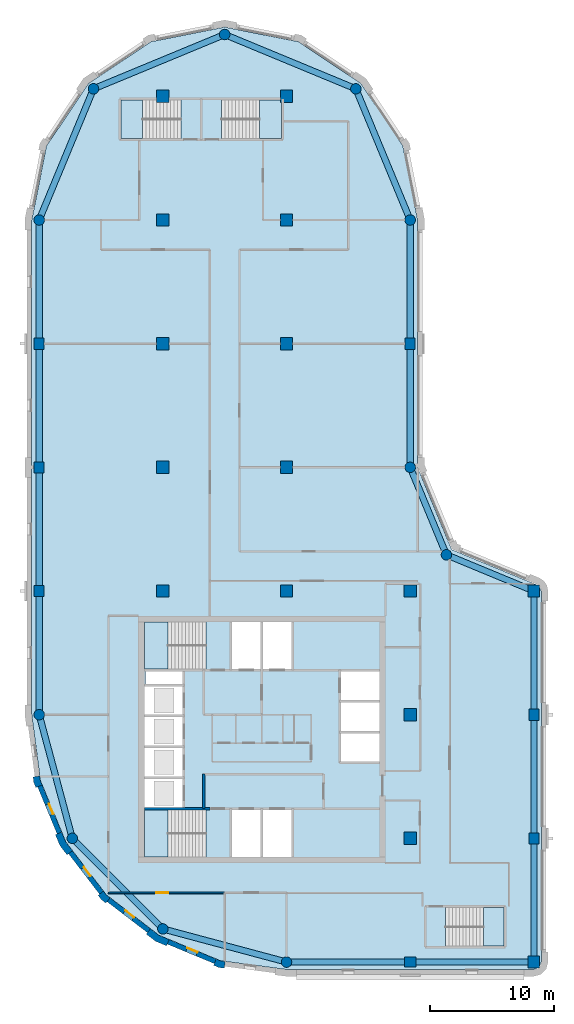
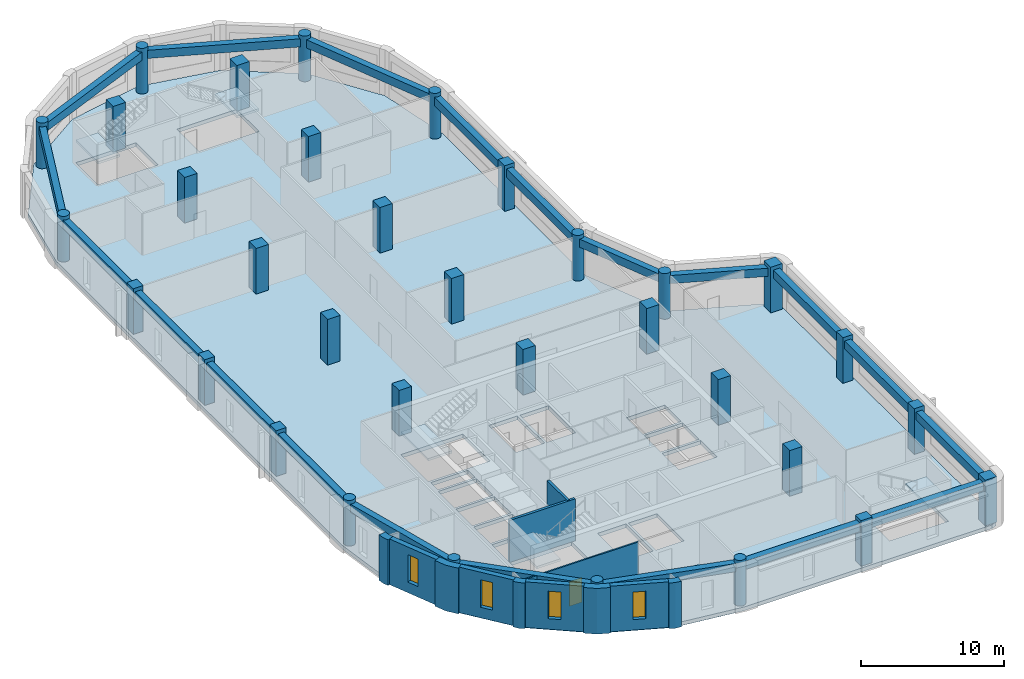
# One storey, part 1 of 8: 33 columns, 20 beams, 12 walls, 6 slabs, 4 windows, 1 door, 5 openings, 5 elements without a shape of their own.
"""IFC4 building model written with IfcOpenShell, lengths in metres."""

from ifc_helpers import new_model, si_unit, direction, frame, frame_2d, origin, origin_2d, place, context, subcontext, project, spatial, polyline, rectangle, circle, outline, extrude, material, layer, layer_set, material_profile, profile_set, type_object, element, fill, aggregate, save


model = new_model("IFC4")

# Units and contexts
model_context = context("Model", 3, precision=1e-05, world=origin(), true_north=direction((0.0, 1.0)))
body_context = subcontext(model_context, "Body", "Model", "MODEL_VIEW")
ifc_project = project(units=[si_unit("LENGTHUNIT", "METRE"), si_unit("AREAUNIT", "SQUARE_METRE"), si_unit("VOLUMEUNIT", "CUBIC_METRE"), si_unit("PLANEANGLEUNIT", "RADIAN"), si_unit("MASSUNIT", "GRAM", prefix="KILO")], contexts=[model_context])

# Site, building, storey
site_placement = place(None, origin())
site = spatial("IfcSite", under=ifc_project, at=site_placement, CompositionType="ELEMENT")
building_placement = place(site_placement, origin())
building = spatial("IfcBuilding", under=site, at=building_placement, Name="Qaws Garden Tower", CompositionType="ELEMENT")
storey_placement = place(building_placement, frame((0.0, 0.0, 302.10009765625)))
storey = spatial("IfcBuildingStorey", under=building, at=storey_placement, Name="L73", CompositionType="ELEMENT", Elevation=302.10009765625)

# Columns
ifc_material_1 = material(Name="Concrete C60", Category="concrete")
ifc_material_profile_1 = material_profile(ifc_material_1, rectangle(XDim=1.0, YDim=1.0, at=origin_2d()), Name="RC 1000x1000")
ifc_profile_set_1 = profile_set([ifc_material_profile_1], Name="Concrete C60")
column_type_1 = type_object("IfcColumnType", Name="Column RC 1000x1000 C60", PredefinedType="COLUMN", material=ifc_profile_set_1)
for number, where, z_axis, x_axis, name in (
    (1, (10.0, 30.0, 0.0), (0.0, 0.0, 1.0), (1.0, 0.0, 0.0), "Column L73-021"),
    (2, (10.0, 40.0, 0.0), (0.0, 0.0, 1.0), (1.0, 0.0, 0.0), "Column L73-022"),
    (3, (10.0, 50.0, 0.0), (0.0, 0.0, 1.0), (1.0, 0.0, 0.0), "Column L73-023"),
    (4, (10.0, 60.0, 0.0), (0.0, 0.0, 1.0), (1.0, 0.0, 0.0), "Column L73-024"),
    (5, (10.0, 70.0, 0.0), (0.0, 0.0, 1.0), (1.0, 0.0, 0.0), "Column L73-025"),
    (6, (20.0, 30.0, 0.0), (0.0, 0.0, 1.0), (1.0, 0.0, 0.0), "Column L73-026"),
    (7, (20.0, 40.0, 0.0), (0.0, 0.0, 1.0), (1.0, 0.0, 0.0), "Column L73-027"),
    (8, (20.0, 50.0, 0.0), (0.0, 0.0, 1.0), (1.0, 0.0, 0.0), "Column L73-028"),
    (9, (20.0, 60.0, 0.0), (0.0, 0.0, 1.0), (1.0, 0.0, 0.0), "Column L73-029"),
    (10, (20.0, 70.0, 0.0), (0.0, 0.0, 1.0), (1.0, 0.0, 0.0), "Column L73-030"),
    (11, (30.0, 10.0, 0.0), (0.0, 0.0, 1.0), (1.0, 0.0, 0.0), "Column L73-031"),
    (12, (30.0, 20.0, 0.0), (0.0, 0.0, 1.0), (1.0, 0.0, 0.0), "Column L73-032"),
    (13, (30.0, 30.0, 0.0), (0.0, 0.0, 1.0), (1.0, 0.0, 0.0), "Column L73-033"),
):
    element("IfcColumn", number, at=place(storey_placement, frame(where, z_axis=z_axis, x_axis=x_axis)), inside=storey, type_object=column_type_1, Name=name, PredefinedType="COLUMN", context=body_context, shape_type="SweptSolid", body=[
        extrude(rectangle(XDim=1.0, YDim=1.0, at=origin_2d()), origin(), (0.0, 0.0, 1.0), 3.89990234375),
    ])
ifc_material_2 = material(Name="Concrete C60", Category="concrete")
ifc_material_profile_2 = material_profile(ifc_material_2, rectangle(XDim=0.89990234375, YDim=0.800048828125, at=origin_2d()), Name="RC 900x800")
ifc_profile_set_2 = profile_set([ifc_material_profile_2], Name="Concrete C60")
column_type_2 = type_object("IfcColumnType", Name="Column RC 900x800 C60", PredefinedType="COLUMN", material=ifc_profile_set_2)
for number, where, z_axis, x_axis, name in (
    (14, (30.0, 0.0, 0.0), (0.0, 0.0, 1.0), (1.0, 0.0, 0.0), "Column L73-002"),
    (15, (40.0, 10.0, 0.0), (0.0, 0.0, 1.0), (0.0, 1.0, 0.0), "Column L73-004"),
    (16, (40.0, 20.0, 0.0), (0.0, 0.0, 1.0), (0.0, 1.0, 0.0), "Column L73-005"),
    (17, (30.0, 50.0, 0.0), (0.0, 0.0, 1.0), (0.0, 1.0, 0.0), "Column L73-009"),
    (18, (0.0, 50.0, 0.0), (0.0, 0.0, 1.0), (0.0, 1.0, 0.0), "Column L73-015"),
    (19, (0.0, 40.0, 0.0), (0.0, 0.0, 1.0), (0.0, 1.0, 0.0), "Column L73-016"),
    (20, (0.0, 30.0, 0.0), (0.0, 0.0, 1.0), (0.0, 1.0, 0.0), "Column L73-017"),
):
    element("IfcColumn", number, at=place(storey_placement, frame(where, z_axis=z_axis, x_axis=x_axis)), inside=storey, type_object=column_type_2, Name=name, PredefinedType="COLUMN", context=body_context, shape_type="SweptSolid", body=[
        extrude(rectangle(XDim=0.89990234375, YDim=0.800048828125, at=origin_2d()), origin(), (0.0, 0.0, 1.0), 3.89990234375),
    ])
ifc_material_3 = material(Name="Concrete C60", Category="concrete")
ifc_material_profile_3 = material_profile(ifc_material_3, rectangle(XDim=0.949951171875, YDim=0.949951171875, at=origin_2d()), Name="RC 950x950")
ifc_profile_set_3 = profile_set([ifc_material_profile_3], Name="Concrete C60")
column_type_3 = type_object("IfcColumnType", Name="Column RC 950x950 C60", PredefinedType="COLUMN", material=ifc_profile_set_3)
for number, where, z_axis, x_axis, name in (
    (21, (40.0, 0.0, 0.0), (0.0, 0.0, 1.0), (1.0, 0.0, 0.0), "Column L73-003"),
    (22, (40.0, 30.0, 0.0), (0.0, 0.0, 1.0), (1.0, 0.0, 0.0), "Column L73-006"),
):
    element("IfcColumn", number, at=place(storey_placement, frame(where, z_axis=z_axis, x_axis=x_axis)), inside=storey, type_object=column_type_3, Name=name, PredefinedType="COLUMN", context=body_context, shape_type="SweptSolid", body=[
        extrude(rectangle(XDim=0.949951171875, YDim=0.949951171875, at=origin_2d()), origin(), (0.0, 0.0, 1.0), 3.89990234375),
    ])
ifc_material_4 = material(Name="Concrete C60", Category="concrete")
ifc_material_profile_4 = material_profile(ifc_material_4, circle(Radius=0.425048828125, at=origin_2d()), Name="RC D850")
ifc_profile_set_4 = profile_set([ifc_material_profile_4], Name="Concrete C60")
column_type_4 = type_object("IfcColumnType", Name="Column RC D850 C60", PredefinedType="COLUMN", material=ifc_profile_set_4)
for number, where, z_axis, x_axis, name in (
    (23, (20.0, 0.0, 0.0), (0.0, 0.0, 1.0), (1.0, 0.0, 0.0), "Column L73-001"),
    (24, (32.928955078125, 32.928955078125, 0.0), (0.0, 0.0, 1.0), (1.0, 0.0, 0.0), "Column L73-007"),
    (25, (30.0, 40.0, 0.0), (0.0, 0.0, 1.0), (1.0, 0.0, 0.0), "Column L73-008"),
    (26, (30.0, 60.0, 0.0), (0.0, 0.0, 1.0), (1.0, 0.0, 0.0), "Column L73-010"),
    (27, (25.606689453125, 70.606689453125, 0.0), (0.0, 0.0, 1.0), (1.0, 0.0, 0.0), "Column L73-011"),
    (28, (15.0, 75.0, 0.0), (0.0, 0.0, 1.0), (1.0, 0.0, 0.0), "Column L73-012"),
    (29, (4.393310546875, 70.606689453125, 0.0), (0.0, 0.0, 1.0), (1.0, 0.0, 0.0), "Column L73-013"),
    (30, (0.0, 60.0, 0.0), (0.0, 0.0, 1.0), (1.0, 0.0, 0.0), "Column L73-014"),
    (31, (0.0, 20.0, 0.0), (0.0, 0.0, 1.0), (1.0, 0.0, 0.0), "Column L73-018"),
    (32, (2.679443359375, 10.0, 0.0), (0.0, 0.0, 1.0), (1.0, 0.0, 0.0), "Column L73-019"),
    (33, (10.0, 2.679443359375, 0.0), (0.0, 0.0, 1.0), (1.0, 0.0, 0.0), "Column L73-020"),
):
    element("IfcColumn", number, at=place(storey_placement, frame(where, z_axis=z_axis, x_axis=x_axis)), inside=storey, type_object=column_type_4, Name=name, PredefinedType="COLUMN", context=body_context, shape_type="SweptSolid", body=[
        extrude(circle(Radius=0.425048828125, at=origin_2d()), origin(), (0.0, 0.0, 1.0), 3.89990234375),
    ])

# Beams
ifc_material_5 = material(Name="Concrete C45", Category="concrete")
ifc_material_profile_5 = material_profile(ifc_material_5, rectangle(XDim=0.5, YDim=0.699951171875, at=origin_2d()), Name="RC 500x700")
ifc_profile_set_5 = profile_set([ifc_material_profile_5], Name="Concrete C45")
beam_type = type_object("IfcBeamType", Name="Spandrel beam RC 500x700 C45", PredefinedType="SPANDREL", material=ifc_profile_set_5)
for number, where, z_axis, x_axis, name in (
    (34, (20.0, 0.0, 3.22998046875), (1.0, 0.0, 0.0), (0.0, 1.0, 0.0), "Spandrel beam L73-001"),
    (35, (30.0, 0.0, 3.22998046875), (1.0, 0.0, 0.0), (0.0, 1.0, 0.0), "Spandrel beam L73-002"),
    (36, (40.0, 0.0, 3.22998046875), (0.0, 1.0, 0.0), (-1.0, 0.0, 0.0), "Spandrel beam L73-003"),
    (37, (40.0, 10.0, 3.22998046875), (0.0, 1.0, 0.0), (-1.0, 0.0, 0.0), "Spandrel beam L73-004"),
    (38, (40.0, 20.0, 3.22998046875), (0.0, 1.0, 0.0), (-1.0, 0.0, 0.0), "Spandrel beam L73-005"),
):
    element("IfcBeam", number, at=place(storey_placement, frame(where, z_axis=z_axis, x_axis=x_axis)), inside=storey, type_object=beam_type, Name=name, PredefinedType="SPANDREL", context=body_context, shape_type="SweptSolid", body=[
        extrude(rectangle(XDim=0.5, YDim=0.699951171875, at=origin_2d()), origin(), (0.0, 0.0, 1.0), 10.0),
    ])
for number, where, z_axis, x_axis, name in (
    (39, (40.0, 30.0, 3.22998046875), (-0.923878037141, 0.382687042488, 0.0), (-0.382687042488, -0.923878037141, 0.0), "Spandrel beam L73-006"),
    (40, (32.928955078125, 32.928955078125, 3.22998046875), (-0.382687042488, 0.923878037141, 0.0), (-0.923878037141, -0.382687042488, 0.0), "Spandrel beam L73-007"),
):
    element("IfcBeam", number, at=place(storey_placement, frame(where, z_axis=z_axis, x_axis=x_axis)), inside=storey, type_object=beam_type, Name=name, PredefinedType="SPANDREL", context=body_context, shape_type="SweptSolid", body=[
        extrude(rectangle(XDim=0.5, YDim=0.699951171875, at=origin_2d()), origin(), (0.0, 0.0, 1.0), 7.653564453125),
    ])
for number, where, z_axis, x_axis, name in (
    (41, (30.0, 40.0, 3.22998046875), (0.0, 1.0, 0.0), (-1.0, 0.0, 0.0), "Spandrel beam L73-008"),
    (42, (30.0, 50.0, 3.22998046875), (0.0, 1.0, 0.0), (-1.0, 0.0, 0.0), "Spandrel beam L73-009"),
):
    element("IfcBeam", number, at=place(storey_placement, frame(where, z_axis=z_axis, x_axis=x_axis)), inside=storey, type_object=beam_type, Name=name, PredefinedType="SPANDREL", context=body_context, shape_type="SweptSolid", body=[
        extrude(rectangle(XDim=0.5, YDim=0.699951171875, at=origin_2d()), origin(), (0.0, 0.0, 1.0), 10.0),
    ])
for number, where, z_axis, x_axis, name in (
    (43, (30.0, 60.0, 3.22998046875), (-0.382674207535, 0.923883353507, 0.0), (-0.923883353507, -0.382674207535, 0.0), "Spandrel beam L73-010"),
    (44, (25.606689453125, 70.606689453125, 3.22998046875), (-0.923883353507, 0.382674207535, 0.0), (-0.382674207535, -0.923883353507, 0.0), "Spandrel beam L73-011"),
    (45, (15.0, 75.0, 3.22998046875), (-0.923883353507, -0.382674207535, 0.0), (0.382674207535, -0.923883353507, 0.0), "Spandrel beam L73-012"),
    (46, (4.393310546875, 70.606689453125, 3.22998046875), (-0.382674207535, -0.923883353507, 0.0), (0.923883353507, -0.382674207535, 0.0), "Spandrel beam L73-013"),
):
    element("IfcBeam", number, at=place(storey_placement, frame(where, z_axis=z_axis, x_axis=x_axis)), inside=storey, type_object=beam_type, Name=name, PredefinedType="SPANDREL", context=body_context, shape_type="SweptSolid", body=[
        extrude(rectangle(XDim=0.5, YDim=0.699951171875, at=origin_2d()), origin(), (0.0, 0.0, 1.0), 11.48046875),
    ])
for number, where, z_axis, x_axis, name in (
    (47, (0.0, 60.0, 3.22998046875), (0.0, -1.0, 0.0), (1.0, 0.0, 0.0), "Spandrel beam L73-014"),
    (48, (0.0, 50.0, 3.22998046875), (0.0, -1.0, 0.0), (1.0, 0.0, 0.0), "Spandrel beam L73-015"),
    (49, (0.0, 40.0, 3.22998046875), (0.0, -1.0, 0.0), (1.0, 0.0, 0.0), "Spandrel beam L73-016"),
    (50, (0.0, 30.0, 3.22998046875), (0.0, -1.0, 0.0), (1.0, 0.0, 0.0), "Spandrel beam L73-017"),
):
    element("IfcBeam", number, at=place(storey_placement, frame(where, z_axis=z_axis, x_axis=x_axis)), inside=storey, type_object=beam_type, Name=name, PredefinedType="SPANDREL", context=body_context, shape_type="SweptSolid", body=[
        extrude(rectangle(XDim=0.5, YDim=0.699951171875, at=origin_2d()), origin(), (0.0, 0.0, 1.0), 10.0),
    ])
for number, where, z_axis, x_axis, name in (
    (51, (0.0, 20.0, 3.22998046875), (0.25881466832, -0.965926999034, 0.0), (0.965926999034, 0.25881466832, 0.0), "Spandrel beam L73-018"),
    (52, (2.679443359375, 10.0, 3.22998046875), (0.707106781187, -0.707106781187, 0.0), (0.707106781187, 0.707106781187, 0.0), "Spandrel beam L73-019"),
    (53, (10.0, 2.679443359375, 3.22998046875), (0.965926999034, -0.25881466832, 0.0), (0.25881466832, 0.965926999034, 0.0), "Spandrel beam L73-020"),
):
    element("IfcBeam", number, at=place(storey_placement, frame(where, z_axis=z_axis, x_axis=x_axis)), inside=storey, type_object=beam_type, Name=name, PredefinedType="SPANDREL", context=body_context, shape_type="SweptSolid", body=[
        extrude(rectangle(XDim=0.5, YDim=0.699951171875, at=origin_2d()), origin(), (0.0, 0.0, 1.0), 10.352783203125),
    ])

# Slab
ifc_material_6 = material(Name="Concrete C40", Category="concrete")
ifc_layer_1 = layer(ifc_material_6, 0.320068359375)
ifc_layer_set_1 = layer_set([ifc_layer_1], Name="Concrete C40")
slab_type_1 = type_object("IfcSlabType", Name="Floor slab 320 C40", PredefinedType="FLOOR", material=ifc_layer_set_1)
slab_1_placement = place(storey_placement, frame((0.0, 0.0, -0.320068359375)))
element("IfcSlab", 54, at=slab_1_placement, inside=storey, type_object=slab_type_1, Name="Floor slab L73", PredefinedType="FLOOR", context=body_context, shape_type="SweptSolid", body=[
    extrude(outline(polyline([(0.101806640625, 14.668212890625), (-0.60009765625, 20.0), (-0.60009765625, 30.60009765625), (-0.60009765625, 60.0), (-0.60009765625, 60.0), (0.58740234375, 65.969970703125), (3.968994140625, 71.031005859375), (9.030029296875, 74.41259765625), (15.0, 75.60009765625), (20.969970703125, 74.41259765625), (26.031005859375, 71.031005859375), (29.41259765625, 65.969970703125), (30.60009765625, 60.0), (30.60009765625, 40.0), (33.353271484375, 33.353271484375), (40.0, 30.60009765625), (40.42431640625, 30.42431640625), (40.60009765625, 30.0), (40.60009765625, 0.0), (40.42431640625, -0.42431640625), (40.0, -0.60009765625), (30.60009765625, -0.60009765625), (20.0, -0.60009765625), (14.668212890625, 0.101806640625), (9.699951171875, 2.159912109375), (5.43359375, 5.43359375), (2.159912109375, 9.699951171875), (0.101806640625, 14.668212890625)]), holes=[polyline([(13.49951171875, 12.300048828125), (8.5, 12.300048828125), (8.5, 8.5), (13.49951171875, 8.5), (13.49951171875, 12.300048828125)]), polyline([(17.89990234375, 12.300048828125), (15.60009765625, 12.300048828125), (15.60009765625, 8.5), (17.89990234375, 8.5), (17.89990234375, 12.300048828125)]), polyline([(11.60009765625, 14.800048828125), (8.5, 14.800048828125), (8.5, 12.5), (11.60009765625, 12.5), (11.60009765625, 14.800048828125)]), polyline([(11.60009765625, 17.300048828125), (8.5, 17.300048828125), (8.5, 15.0), (11.60009765625, 15.0), (11.60009765625, 17.300048828125)]), polyline([(11.60009765625, 19.800048828125), (8.5, 19.800048828125), (8.5, 17.5), (11.60009765625, 17.5), (11.60009765625, 19.800048828125)]), polyline([(11.60009765625, 22.300048828125), (8.5, 22.300048828125), (8.5, 20.0), (11.60009765625, 20.0), (11.60009765625, 22.300048828125)]), polyline([(11.60009765625, 23.5), (8.60009765625, 23.5), (8.60009765625, 22.5), (11.60009765625, 22.5), (11.60009765625, 23.5)]), polyline([(13.49951171875, 27.5), (8.5, 27.5), (8.5, 23.699951171875), (13.49951171875, 23.699951171875), (13.49951171875, 27.5)]), polyline([(11.449462890625, 69.699951171875), (6.60009765625, 69.699951171875), (6.60009765625, 66.60009765625), (11.449462890625, 66.60009765625), (11.449462890625, 69.699951171875)]), polyline([(37.60009765625, 4.39990234375), (32.8505859375, 4.39990234375), (32.8505859375, 1.300048828125), (37.60009765625, 1.300048828125), (37.60009765625, 4.39990234375)]), polyline([(20.39990234375, 12.300048828125), (18.10009765625, 12.300048828125), (18.10009765625, 8.5), (20.39990234375, 8.5), (20.39990234375, 12.300048828125)]), polyline([(27.5, 18.5), (24.39990234375, 18.5), (24.39990234375, 16.199951171875), (27.5, 16.199951171875), (27.5, 18.5)]), polyline([(27.5, 21.0), (24.39990234375, 21.0), (24.39990234375, 18.699951171875), (27.5, 18.699951171875), (27.5, 21.0)]), polyline([(27.5, 23.5), (24.39990234375, 23.5), (24.39990234375, 21.199951171875), (27.5, 21.199951171875), (27.5, 23.5)]), polyline([(17.89990234375, 27.5), (15.60009765625, 27.5), (15.60009765625, 23.699951171875), (17.89990234375, 23.699951171875), (17.89990234375, 27.5)]), polyline([(20.39990234375, 23.699951171875), (20.39990234375, 27.5), (18.10009765625, 27.5), (18.10009765625, 23.699951171875), (20.39990234375, 23.699951171875)]), polyline([(19.60009765625, 66.60009765625), (19.60009765625, 69.699951171875), (14.75048828125, 69.699951171875), (14.75048828125, 66.60009765625), (19.60009765625, 66.60009765625)])]), origin(), (0.0, 0.0, 1.0), 0.320068359375),
])

# Stair, slab
ifc_material_7 = material(Name="Concrete C40", Category="concrete")
stair_type_1 = type_object("IfcStairType", Name="Exit stair 1500", PredefinedType="HALF_TURN_STAIR", material=ifc_material_7)
placement_1 = place(storey_placement, origin())
stair_1 = element("IfcStair", 55, at=placement_1, inside=storey, type_object=stair_type_1, Name="Stair 1", PredefinedType="HALF_TURN_STAIR")
ifc_material_8 = material(Name="Concrete C40", Category="concrete")
ifc_layer_2 = layer(ifc_material_8, 0.199951171875)
ifc_layer_set_2 = layer_set([ifc_layer_2], Name="Concrete C40")
slab_type_2 = type_object("IfcSlabType", Name="Stair landing 200", PredefinedType="LANDING", material=ifc_layer_set_2)
placement_2 = place(storey_placement, frame((0.0, 0.0, 1.75)))
slab_2 = element("IfcSlab", 56, at=placement_2, type_object=slab_type_2, Name="ST1 landing 1", PredefinedType="LANDING", context=body_context, shape_type="SweptSolid", body=[
    extrude(outline(polyline([(8.5, 8.5), (10.419921875, 8.5), (10.419921875, 12.300048828125), (8.5, 12.300048828125), (8.5, 8.5)])), origin(), (0.0, 0.0, 1.0), 0.199951171875),
])
aggregate(stair_1, [slab_2])

stair_2 = element("IfcStair", 57, at=placement_1, inside=storey, type_object=stair_type_1, Name="Stair 4", PredefinedType="HALF_TURN_STAIR")
slab_3 = element("IfcSlab", 58, at=placement_2, type_object=slab_type_2, Name="ST4 landing 1", PredefinedType="LANDING", context=body_context, shape_type="SweptSolid", body=[
    extrude(outline(polyline([(8.5, 23.699951171875), (10.419921875, 23.699951171875), (10.419921875, 27.5), (8.5, 27.5), (8.5, 23.699951171875)])), origin(), (0.0, 0.0, 1.0), 0.199951171875),
])
aggregate(stair_2, [slab_3])

ifc_material_9 = material(Name="Concrete C40", Category="concrete")
stair_type_2 = type_object("IfcStairType", Name="Exit stair 1350", PredefinedType="HALF_TURN_STAIR", material=ifc_material_9)
stair_3 = element("IfcStair", 59, at=placement_1, inside=storey, type_object=stair_type_2, Name="Stair 5", PredefinedType="HALF_TURN_STAIR")
slab_4 = element("IfcSlab", 60, at=placement_2, type_object=slab_type_2, Name="ST5 landing 1", PredefinedType="LANDING", context=body_context, shape_type="SweptSolid", body=[
    extrude(outline(polyline([(35.929931640625, 1.300048828125), (37.60009765625, 1.300048828125), (37.60009765625, 4.39990234375), (35.929931640625, 4.39990234375), (35.929931640625, 1.300048828125)])), origin(), (0.0, 0.0, 1.0), 0.199951171875),
])
aggregate(stair_3, [slab_4])

stair_4 = element("IfcStair", 61, at=placement_1, inside=storey, type_object=stair_type_2, Name="Stair 6", PredefinedType="HALF_TURN_STAIR")
slab_5 = element("IfcSlab", 62, at=placement_2, type_object=slab_type_2, Name="ST6 landing 1", PredefinedType="LANDING", context=body_context, shape_type="SweptSolid", body=[
    extrude(outline(polyline([(6.60009765625, 66.60009765625), (8.3701171875, 66.60009765625), (8.3701171875, 69.699951171875), (6.60009765625, 69.699951171875), (6.60009765625, 66.60009765625)])), origin(), (0.0, 0.0, 1.0), 0.199951171875),
])
aggregate(stair_4, [slab_5])

stair_5 = element("IfcStair", 63, at=placement_1, inside=storey, type_object=stair_type_2, Name="Stair 7", PredefinedType="HALF_TURN_STAIR")
slab_6 = element("IfcSlab", 64, at=placement_2, type_object=slab_type_2, Name="ST7 landing 1", PredefinedType="LANDING", context=body_context, shape_type="SweptSolid", body=[
    extrude(outline(polyline([(17.830078125, 66.60009765625), (19.60009765625, 66.60009765625), (19.60009765625, 69.699951171875), (17.830078125, 69.699951171875), (17.830078125, 66.60009765625)])), origin(), (0.0, 0.0, 1.0), 0.199951171875),
])
aggregate(stair_5, [slab_6])

# Wall, opening, window
ifc_material_10 = material(Name="Clay facing brick masonry", Category="masonry")
ifc_layer_3 = layer(ifc_material_10, 0.39990234375)
ifc_layer_set_3 = layer_set([ifc_layer_3], Name="Clay facing brick masonry")
wall_type_1 = type_object("IfcWallType", Name="Brick infill wall 400", PredefinedType="SOLIDWALL", material=ifc_layer_set_3)
wall_1_placement = place(storey_placement, frame((0.05712890625, 14.240234375, 0.0), z_axis=(0.0, 0.0, 1.0), x_axis=(0.382721546029, -0.923863744394, 0.0)))
wall_1 = element("IfcWall", 65, at=wall_1_placement, inside=storey, type_object=wall_type_1, Name="E-L73-infill-22", PredefinedType="SOLIDWALL", context=body_context, shape_type="SweptSolid", body=[
    extrude(rectangle(XDim=4.120849609375, YDim=0.39990234375, at=frame_2d((2.060546875, 0.0))), origin(), (0.0, 0.0, 1.0), 3.89990234375),
])
opening_1_placement = place(wall_1_placement, frame((1.610595703125, 0.0, 0.89990234375)))
opening_1 = element("IfcOpeningElement", 66, at=opening_1_placement, cuts=wall_1, Name="Opening W09", PredefinedType="OPENING", context=body_context, shape_type="SweptSolid", body=[
    extrude(rectangle(XDim=0.89990234375, YDim=2.35009765625, at=frame_2d((0.449951171875, 1.175048828125))), frame((0.0, 0.2099609375, 0.0), z_axis=(0.0, -1.0, 0.0), x_axis=(1.0, 0.0, 0.0)), (0.0, 0.0, 1.0), 0.419921875),
])
ifc_material_11 = material(Name="Aluminium framed window, clear glazing", Category="aluminium")
window_type = type_object("IfcWindowType", Name="Slit window 900 x 2350", PartitioningType="SINGLE_PANEL", PredefinedType="WINDOW", material=ifc_material_11)
window_1_placement = place(opening_1_placement, origin())
window_1 = element("IfcWindow", 67, at=window_1_placement, inside=storey, type_object=window_type, Name="E-L73-window-22-0", OverallHeight=2.35009765625, OverallWidth=0.89990234375, PartitioningType="SINGLE_PANEL", PredefinedType="WINDOW", context=body_context, shape_type="SweptSolid", body=[
    extrude(rectangle(XDim=0.89990234375, YDim=2.35009765625, at=frame_2d((0.449951171875, 1.175048828125))), frame((0.0, 0.159912109375, 0.0), z_axis=(0.0, -1.0, 0.0), x_axis=(1.0, 0.0, 0.0)), (0.0, 0.0, 1.0), 0.06005859375),
])
fill(opening_1, window_1)

wall_2_placement = place(storey_placement, frame((2.53173828125, 8.87841796875, 0.0), z_axis=(0.0, 0.0, 1.0), x_axis=(0.608759824817, -0.793354571229, 0.0)))
wall_2 = element("IfcWall", 68, at=wall_2_placement, inside=storey, type_object=wall_type_1, Name="E-L73-infill-23", PredefinedType="SOLIDWALL", context=body_context, shape_type="SweptSolid", body=[
    extrude(rectangle(XDim=4.12109375, YDim=0.39990234375, at=frame_2d((2.060546875, 0.0))), origin(), (0.0, 0.0, 1.0), 3.89990234375),
])
opening_2_placement = place(wall_2_placement, frame((1.610595703125, 0.0, 0.89990234375)))
opening_2 = element("IfcOpeningElement", 69, at=opening_2_placement, cuts=wall_2, Name="Opening W09", PredefinedType="OPENING", context=body_context, shape_type="SweptSolid", body=[
    extrude(rectangle(XDim=0.89990234375, YDim=2.35009765625, at=frame_2d((0.449951171875, 1.175048828125))), frame((0.0, 0.2099609375, 0.0), z_axis=(0.0, -1.0, 0.0), x_axis=(1.0, 0.0, 0.0)), (0.0, 0.0, 1.0), 0.419921875),
])
window_2_placement = place(opening_2_placement, origin())
window_2 = element("IfcWindow", 70, at=window_2_placement, inside=storey, type_object=window_type, Name="E-L73-window-23-0", OverallHeight=2.35009765625, OverallWidth=0.89990234375, PartitioningType="SINGLE_PANEL", PredefinedType="WINDOW", context=body_context, shape_type="SweptSolid", body=[
    extrude(rectangle(XDim=0.89990234375, YDim=2.35009765625, at=frame_2d((0.449951171875, 1.175048828125))), frame((0.0, 0.159912109375, 0.0), z_axis=(0.0, -1.0, 0.0), x_axis=(1.0, 0.0, 0.0)), (0.0, 0.0, 1.0), 0.06005859375),
])
fill(opening_2, window_2)

wall_3_placement = place(storey_placement, frame((5.60888671875, 5.04052734375, 0.0), z_axis=(0.0, 0.0, 1.0), x_axis=(0.793354571229, -0.608759824817, 0.0)))
wall_3 = element("IfcWall", 71, at=wall_3_placement, inside=storey, type_object=wall_type_1, Name="E-L73-infill-24", PredefinedType="SOLIDWALL", context=body_context, shape_type="SweptSolid", body=[
    extrude(rectangle(XDim=4.12109375, YDim=0.39990234375, at=frame_2d((2.060546875, 0.0))), origin(), (0.0, 0.0, 1.0), 3.89990234375),
])
opening_3_placement = place(wall_3_placement, frame((1.610595703125, 0.0, 0.89990234375)))
opening_3 = element("IfcOpeningElement", 72, at=opening_3_placement, cuts=wall_3, Name="Opening W09", PredefinedType="OPENING", context=body_context, shape_type="SweptSolid", body=[
    extrude(rectangle(XDim=0.89990234375, YDim=2.35009765625, at=frame_2d((0.449951171875, 1.175048828125))), frame((0.0, 0.2099609375, 0.0), z_axis=(0.0, -1.0, 0.0), x_axis=(1.0, 0.0, 0.0)), (0.0, 0.0, 1.0), 0.419921875),
])
window_3_placement = place(opening_3_placement, origin())
window_3 = element("IfcWindow", 73, at=window_3_placement, inside=storey, type_object=window_type, Name="E-L73-window-24-0", OverallHeight=2.35009765625, OverallWidth=0.89990234375, PartitioningType="SINGLE_PANEL", PredefinedType="WINDOW", context=body_context, shape_type="SweptSolid", body=[
    extrude(rectangle(XDim=0.89990234375, YDim=2.35009765625, at=frame_2d((0.449951171875, 1.175048828125))), frame((0.0, 0.159912109375, 0.0), z_axis=(0.0, -1.0, 0.0), x_axis=(1.0, 0.0, 0.0)), (0.0, 0.0, 1.0), 0.06005859375),
])
fill(opening_3, window_3)

wall_4_placement = place(storey_placement, frame((10.43310546875, 1.63427734375, 0.0), z_axis=(0.0, 0.0, 1.0), x_axis=(0.923863744394, -0.382721546029, 0.0)))
wall_4 = element("IfcWall", 74, at=wall_4_placement, inside=storey, type_object=wall_type_1, Name="E-L73-infill-25", PredefinedType="SOLIDWALL", context=body_context, shape_type="SweptSolid", body=[
    extrude(rectangle(XDim=4.120849609375, YDim=0.39990234375, at=frame_2d((2.060546875, 0.0))), origin(), (0.0, 0.0, 1.0), 3.89990234375),
])
opening_4_placement = place(wall_4_placement, frame((1.610595703125, 0.0, 0.89990234375)))
opening_4 = element("IfcOpeningElement", 75, at=opening_4_placement, cuts=wall_4, Name="Opening W09", PredefinedType="OPENING", context=body_context, shape_type="SweptSolid", body=[
    extrude(rectangle(XDim=0.89990234375, YDim=2.35009765625, at=frame_2d((0.449951171875, 1.175048828125))), frame((0.0, 0.2099609375, 0.0), z_axis=(0.0, -1.0, 0.0), x_axis=(1.0, 0.0, 0.0)), (0.0, 0.0, 1.0), 0.419921875),
])
window_4_placement = place(opening_4_placement, origin())
window_4 = element("IfcWindow", 76, at=window_4_placement, inside=storey, type_object=window_type, Name="E-L73-window-25-0", OverallHeight=2.35009765625, OverallWidth=0.89990234375, PartitioningType="SINGLE_PANEL", PredefinedType="WINDOW", context=body_context, shape_type="SweptSolid", body=[
    extrude(rectangle(XDim=0.89990234375, YDim=2.35009765625, at=frame_2d((0.449951171875, 1.175048828125))), frame((0.0, 0.159912109375, 0.0), z_axis=(0.0, -1.0, 0.0), x_axis=(1.0, 0.0, 0.0)), (0.0, 0.0, 1.0), 0.06005859375),
])
fill(opening_4, window_4)

# Walls
ifc_material_12 = material(Name="Clay facing brick masonry", Category="masonry")
ifc_layer_4 = layer(ifc_material_12, 0.550048828125)
ifc_layer_set_4 = layer_set([ifc_layer_4], Name="Clay facing brick masonry")
wall_type_2 = type_object("IfcWallType", Name="Brick kink pier 550 x 600", PredefinedType="SOLIDWALL", material=ifc_layer_set_4)
element("IfcWall", 77, at=placement_1, inside=storey, type_object=wall_type_2, Name="E-L73-pier-22", PredefinedType="SOLIDWALL", context=body_context, shape_type="SweptSolid", body=[
    extrude(outline(polyline([(-0.34912109375, 14.990478515625), (-0.497802734375, 14.970947265625), (-0.43896484375, 14.5234375), (-0.26611328125, 14.1064453125), (-0.127685546875, 14.163818359375), (0.241943359375, 14.31689453125), (0.096923828125, 14.6669921875), (0.04736328125, 15.042724609375), (-0.34912109375, 14.990478515625)])), origin(), (0.0, 0.0, 1.0), 3.89990234375),
])
element("IfcWall", 78, at=placement_1, inside=storey, type_object=wall_type_2, Name="E-L73-pier-24", PredefinedType="SOLIDWALL", context=body_context, shape_type="SweptSolid", body=[
    extrude(outline(polyline([(4.8818359375, 5.487060546875), (4.762939453125, 5.395751953125), (5.03759765625, 5.03759765625), (5.395751953125, 4.762939453125), (5.487060546875, 4.8818359375), (5.730712890625, 5.19921875), (5.429931640625, 5.429931640625), (5.19921875, 5.730712890625), (4.8818359375, 5.487060546875)])), origin(), (0.0, 0.0, 1.0), 3.89990234375),
])
element("IfcWall", 79, at=placement_1, inside=storey, type_object=wall_type_2, Name="E-L73-pier-26", PredefinedType="SOLIDWALL", context=body_context, shape_type="SweptSolid", body=[
    extrude(outline(polyline([(14.163818359375, -0.127685546875), (14.1064453125, -0.26611328125), (14.5234375, -0.43896484375), (14.970947265625, -0.497802734375), (14.990478515625, -0.34912109375), (15.042724609375, 0.04736328125), (14.6669921875, 0.096923828125), (14.31689453125, 0.241943359375), (14.163818359375, -0.127685546875)])), origin(), (0.0, 0.0, 1.0), 3.89990234375),
])
ifc_material_13 = material(Name="Clay facing brick masonry", Category="masonry")
ifc_layer_5 = layer(ifc_material_13, 0.550048828125)
ifc_layer_set_5 = layer_set([ifc_layer_5], Name="Clay facing brick masonry")
wall_type_3 = type_object("IfcWallType", Name="Brick pier 550 x 1600", PredefinedType="SOLIDWALL", material=ifc_layer_set_5)
element("IfcWall", 80, at=placement_1, inside=storey, type_object=wall_type_3, Name="E-L73-pier-23", PredefinedType="SOLIDWALL", context=body_context, shape_type="SweptSolid", body=[
    extrude(outline(polyline([(1.449462890625, 10.3564453125), (1.310791015625, 10.299072265625), (1.675048828125, 9.419921875), (2.254150390625, 8.665283203125), (2.373046875, 8.756591796875), (2.6904296875, 9.0), (2.1552734375, 9.697509765625), (1.819091796875, 10.509521484375), (1.449462890625, 10.3564453125)])), origin(), (0.0, 0.0, 1.0), 3.89990234375),
])
element("IfcWall", 81, at=placement_1, inside=storey, type_object=wall_type_3, Name="E-L73-pier-25", PredefinedType="SOLIDWALL", context=body_context, shape_type="SweptSolid", body=[
    extrude(outline(polyline([(8.756591796875, 2.373046875), (8.665283203125, 2.254150390625), (9.419921875, 1.675048828125), (10.299072265625, 1.310791015625), (10.3564453125, 1.449462890625), (10.509521484375, 1.819091796875), (9.697509765625, 2.1552734375), (9.0, 2.6904296875), (8.756591796875, 2.373046875)])), origin(), (0.0, 0.0, 1.0), 3.89990234375),
])
ifc_material_14 = material(Name="Concrete C60", Category="concrete")
ifc_layer_6 = layer(ifc_material_14, 0.199951171875)
ifc_layer_set_6 = layer_set([ifc_layer_6], Name="Concrete C60")
wall_type_4 = type_object("IfcWallType", Name="Core shaft wall 200 C60", PredefinedType="SHEAR", material=ifc_layer_set_6)
wall_10_placement = place(storey_placement, frame((8.5, 12.39990234375, 0.0), z_axis=(0.0, 0.0, 1.0), x_axis=(1.0, 0.0, 0.0)))
element("IfcWall", 82, at=wall_10_placement, inside=storey, type_object=wall_type_4, Name="Shaft wall", PredefinedType="SHEAR", context=body_context, shape_type="SweptSolid", body=[
    extrude(rectangle(XDim=5.300048828125, YDim=0.199951171875, at=frame_2d((2.64990234375, 0.0))), origin(), (0.0, 0.0, 1.0), 3.579833984375),
])
wall_11_placement = place(storey_placement, frame((13.300048828125, 12.39990234375, 0.0), z_axis=(0.0, 0.0, 1.0), x_axis=(0.0, 1.0, 0.0)))
element("IfcWall", 83, at=wall_11_placement, inside=storey, type_object=wall_type_4, Name="Shaft wall", PredefinedType="SHEAR", context=body_context, shape_type="SweptSolid", body=[
    extrude(rectangle(XDim=2.800048828125, YDim=0.199951171875, at=frame_2d((1.39990234375, 0.0))), origin(), (0.0, 0.0, 1.0), 3.579833984375),
])

# Wall, opening, door
ifc_material_15 = material(Name="Glass and aluminium framing", Category="aluminium")
ifc_layer_7 = layer(ifc_material_15, 0.1201171875)
ifc_layer_set_7 = layer_set([ifc_layer_7], Name="Glass and aluminium framing")
wall_type_5 = type_object("IfcWallType", Name="GLAZED PARTITION 120 EI 30", PredefinedType="PARTITIONING", material=ifc_layer_set_7)
wall_12_placement = place(storey_placement, frame((5.60009765625, 5.60009765625, 0.0), z_axis=(0.0, 0.0, 1.0), x_axis=(1.0, 0.0, 0.0)))
wall_12 = element("IfcWall", 84, at=wall_12_placement, inside=storey, type_object=wall_type_5, Name="O-L73-wall-041", PredefinedType="PARTITIONING", context=body_context, shape_type="SweptSolid", body=[
    extrude(rectangle(XDim=9.39990234375, YDim=0.1201171875, at=frame_2d((4.699951171875, 0.0))), origin(), (0.0, 0.0, 1.0), 3.579833984375),
])
opening_5_placement = place(wall_12_placement, frame((3.85009765625, 0.0, 0.0)))
opening_5 = element("IfcOpeningElement", 85, at=opening_5_placement, cuts=wall_12, Name="Opening C609", PredefinedType="OPENING", context=body_context, shape_type="SweptSolid", body=[
    extrude(rectangle(XDim=1.0, YDim=2.10009765625, at=frame_2d((0.5, 1.050048828125))), frame((0.0, 0.070068359375, 0.0), z_axis=(0.0, -1.0, 0.0), x_axis=(1.0, 0.0, 0.0)), (0.0, 0.0, 1.0), 0.14013671875),
])
ifc_material_16 = material(Name="Timber door leaf", Category="wood")
door_type = type_object("IfcDoorType", Name="TENANCY ENTRANCE DOOR 1000 X 2100", OperationType="SINGLE_SWING_LEFT", PredefinedType="DOOR", material=ifc_material_16)
door_placement = place(opening_5_placement, frame((1.0, 0.0, 0.0), z_axis=(0.0, 0.0, 1.0), x_axis=(-1.0, 0.0, 0.0)))
door = element("IfcDoor", 86, at=door_placement, inside=storey, type_object=door_type, Name="O-L73-door-009", OperationType="SINGLE_SWING_LEFT", OverallHeight=2.10009765625, OverallWidth=1.0, PredefinedType="DOOR", context=body_context, shape_type="SweptSolid", body=[
    extrude(rectangle(XDim=1.0, YDim=2.10009765625, at=frame_2d((0.5, 1.050048828125))), frame((0.0, 0.02490234375, 0.0), z_axis=(0.0, -1.0, 0.0), x_axis=(1.0, 0.0, 0.0)), (0.0, 0.0, 1.0), 0.050048828125),
])
fill(opening_5, door)

save(model, "model.ifc")
